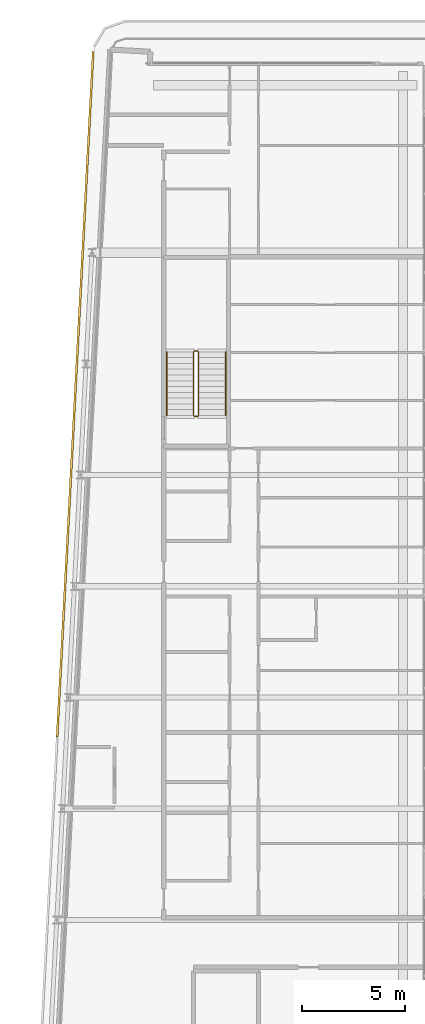
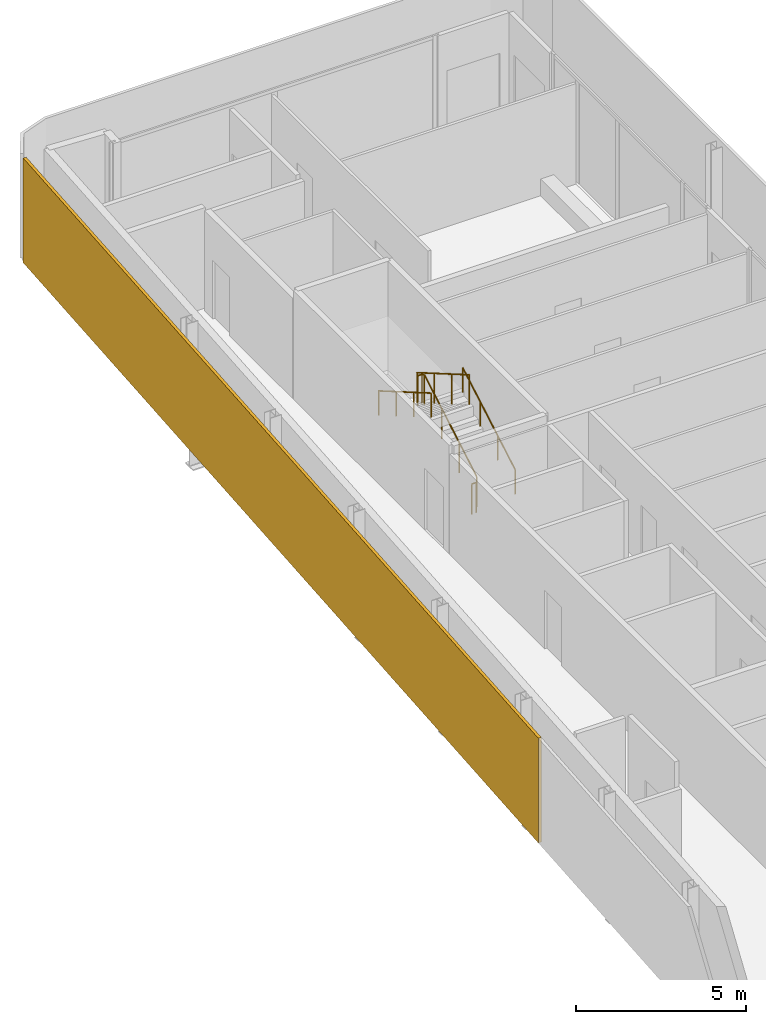
# One storey, part 16 of 18: 4 railings, 1 shading device.
"""IFC4 building model written with IfcOpenShell, lengths in metres."""

from ifc_helpers import new_model, si_unit, direction, frame, origin, origin_2d, place, context, subcontext, project, spatial, rectangle, circle, extrude, material, layer, layer_set, type_object, element, save


model = new_model("IFC4")

# Units and contexts
model_context = context("Model", 3, precision=1e-05, world=origin(), true_north=direction((0.0, 1.0)))
body_context = subcontext(model_context, "Body", "Model", "MODEL_VIEW")
ifc_project = project(units=[si_unit("LENGTHUNIT", "METRE"), si_unit("AREAUNIT", "SQUARE_METRE"), si_unit("VOLUMEUNIT", "CUBIC_METRE"), si_unit("PLANEANGLEUNIT", "RADIAN"), si_unit("MASSUNIT", "GRAM", prefix="KILO")], contexts=[model_context])

# Site, building, storey
site_placement = place(None, origin())
site = spatial("IfcSite", under=ifc_project, at=site_placement, CompositionType="ELEMENT")
building_placement = place(site_placement, origin())
building = spatial("IfcBuilding", under=site, at=building_placement, Name="Kheshtan School and Residences Tower", CompositionType="ELEMENT")
storey_placement = place(building_placement, frame((0.0, 0.0, 361.699951171875)))
storey = spatial("IfcBuildingStorey", under=building, at=storey_placement, Name="L85", CompositionType="ELEMENT", Elevation=361.699951171875)

# Shading device
ifc_material_1 = material(Name="Terracotta baguette, extruded ceramic", Category="masonry")
ifc_layer = layer(ifc_material_1, 0.10009765625)
ifc_layer_set = layer_set([ifc_layer], Name="Ledge screen, terracotta baguettes")
shading_device_type = type_object("IfcShadingDeviceType", Name="Ledge screen, terracotta baguettes", PredefinedType="USERDEFINED", material=ifc_layer_set)
shading_device_placement = place(storey_placement, frame((28.9990234375, 81.93408203125, 0.0), z_axis=(0.0, 0.0, 1.0), x_axis=(0.052562536748, 0.998617634398, 0.0)))
element("IfcShadingDevice", 1, at=shading_device_placement, inside=storey, type_object=shading_device_type, Name="Screen L85 5", ObjectType="BAGUETTE", PredefinedType="USERDEFINED", context=body_context, shape_type="SweptSolid", body=[
    extrude(rectangle(XDim=33.341064453125, YDim=0.10009765625, at=origin_2d()), origin(), (0.0, 0.0, 1.0), 3.75),
])

# Railings
ifc_material_2 = material(Name="Stainless steel balustrade", Category="steel")
railing_type_1 = type_object("IfcRailingType", Name="Stair guard 1100", PredefinedType="GUARDRAIL", material=ifc_material_2)
railing_1_placement = place(storey_placement, frame((35.0, 80.89990234375, 0.16259765625)))
element("IfcRailing", 2, at=railing_1_placement, inside=storey, type_object=railing_type_1, Name="L85 ST3 stair guard 1", PredefinedType="GUARDRAIL", context=body_context, shape_type="SweptSolid", body=[
    extrude(circle(Radius=0.02392578125, at=origin_2d()), frame((0.0, 0.0, 1.076171875), z_axis=(0.0, 0.864920483161, 0.501908913857), x_axis=(-1.0, 0.0, 0.0)), (0.0, 0.0, 1.0), 3.56103515625),
    extrude(circle(Radius=0.02392578125, at=origin_2d()), frame((0.0, 3.080078125, 2.86328125), z_axis=(-0.707106781187, 0.707106781187, 0.0), x_axis=(-0.707106781187, -0.707106781187, 0.0)), (0.0, 0.0, 1.0), 0.07080078125),
    extrude(circle(Radius=0.02392578125, at=origin_2d()), frame((-0.050048828125, 3.130126953125, 2.86328125), z_axis=(-1.0, 0.0, 0.0), x_axis=(0.0, -1.0, 0.0)), (0.0, 0.0, 1.0), 0.14990234375),
    extrude(circle(Radius=0.02392578125, at=origin_2d()), frame((-0.199951171875, 3.130126953125, 2.86328125), z_axis=(-0.282227285176, -0.282227285176, 0.916894497205), x_axis=(0.707106781187, -0.707106781187, 0.0)), (0.0, 0.0, 1.0), 0.17724609375),
    extrude(circle(Radius=0.02392578125, at=origin_2d()), frame((-0.25, 3.080078125, 3.02587890625), z_axis=(0.0, -0.864890721111, 0.501960198159), x_axis=(1.0, 0.0, 0.0)), (0.0, 0.0, 1.0), 3.561279296875),
    extrude(circle(Radius=0.02099609375, at=origin_2d()), origin(), (0.0, 0.0, 1.0), 1.052001953125),
    extrude(circle(Radius=0.02099609375, at=origin_2d()), frame((0.0, 1.026611328125, 0.595703125)), (0.0, 0.0, 1.0), 1.052001953125),
    extrude(circle(Radius=0.02099609375, at=origin_2d()), frame((0.0, 2.053466796875, 1.191650390625)), (0.0, 0.0, 1.0), 1.052001953125),
    extrude(circle(Radius=0.02099609375, at=origin_2d()), frame((0.0, 3.080078125, 1.787353515625)), (0.0, 0.0, 1.0), 1.052001953125),
    extrude(circle(Radius=0.02099609375, at=origin_2d()), frame((-0.050048828125, 3.130126953125, 1.787353515625)), (0.0, 0.0, 1.0), 1.052001953125),
    extrude(circle(Radius=0.02099609375, at=origin_2d()), frame((-0.199951171875, 3.130126953125, 1.787353515625)), (0.0, 0.0, 1.0), 1.052001953125),
    extrude(circle(Radius=0.02099609375, at=origin_2d()), frame((-0.25, 3.080078125, 1.949951171875)), (0.0, 0.0, 1.0), 1.052001953125),
    extrude(circle(Radius=0.02099609375, at=origin_2d()), frame((-0.25, 2.053466796875, 2.5458984375)), (0.0, 0.0, 1.0), 1.052001953125),
    extrude(circle(Radius=0.02099609375, at=origin_2d()), frame((-0.25, 1.026611328125, 3.1416015625)), (0.0, 0.0, 1.0), 1.052001953125),
    extrude(circle(Radius=0.02099609375, at=origin_2d()), frame((-0.25, 0.0, 3.737548828125)), (0.0, 0.0, 1.0), 1.052001953125),
])
railing_2_placement = place(storey_placement, frame((34.949951171875, 80.85009765625, 0.0)))
element("IfcRailing", 3, at=railing_2_placement, inside=storey, type_object=railing_type_1, Name="L85 ST3 stair guard 2", PredefinedType="GUARDRAIL", context=body_context, shape_type="SweptSolid", body=[
    extrude(circle(Radius=0.02392578125, at=origin_2d()), frame((0.0, 0.0, 1.076171875), z_axis=(-1.0, 0.0, 0.0), x_axis=(0.0, -1.0, 0.0)), (0.0, 0.0, 1.0), 0.14990234375),
    extrude(circle(Radius=0.02099609375, at=origin_2d()), origin(), (0.0, 0.0, 1.0), 1.052001953125),
    extrude(circle(Radius=0.02099609375, at=origin_2d()), frame((-0.14990234375, 0.0, 0.0)), (0.0, 0.0, 1.0), 1.052001953125),
])
ifc_material_3 = material(Name="Stainless steel handrail", Category="steel")
railing_type_2 = type_object("IfcRailingType", Name="Stair handrail 900", PredefinedType="HANDRAIL", material=ifc_material_3)
railing_3_placement = place(storey_placement, frame((36.300048828125, 80.89990234375, 0.16259765625)))
element("IfcRailing", 4, at=railing_3_placement, inside=storey, type_object=railing_type_2, Name="L85 ST3 stair handrail 1", PredefinedType="HANDRAIL", context=body_context, shape_type="SweptSolid", body=[
    extrude(circle(Radius=0.02392578125, at=origin_2d()), frame((0.0, 0.0, 0.8759765625), z_axis=(0.0, 0.864920483161, 0.501908913857), x_axis=(-1.0, 0.0, 0.0)), (0.0, 0.0, 1.0), 3.56103515625),
    extrude(circle(Radius=0.02099609375, at=origin_2d()), origin(), (0.0, 0.0, 1.0), 0.851806640625),
    extrude(circle(Radius=0.02099609375, at=origin_2d()), frame((0.0, 1.026611328125, 0.595703125)), (0.0, 0.0, 1.0), 0.851806640625),
    extrude(circle(Radius=0.02099609375, at=origin_2d()), frame((0.0, 2.053466796875, 1.191650390625)), (0.0, 0.0, 1.0), 0.851806640625),
    extrude(circle(Radius=0.02099609375, at=origin_2d()), frame((0.0, 3.080078125, 1.787353515625)), (0.0, 0.0, 1.0), 0.851806640625),
])
railing_4_placement = place(storey_placement, frame((33.449951171875, 83.97998046875, 2.112548828125)))
element("IfcRailing", 5, at=railing_4_placement, inside=storey, type_object=railing_type_2, Name="L85 ST3 stair handrail 2", PredefinedType="HANDRAIL", context=body_context, shape_type="SweptSolid", body=[
    extrude(circle(Radius=0.02392578125, at=origin_2d()), frame((0.0, 0.0, 0.8759765625), z_axis=(0.0, -0.864890721111, 0.501960198159), x_axis=(1.0, 0.0, 0.0)), (0.0, 0.0, 1.0), 3.561279296875),
    extrude(circle(Radius=0.02099609375, at=origin_2d()), origin(), (0.0, 0.0, 1.0), 0.851806640625),
    extrude(circle(Radius=0.02099609375, at=origin_2d()), frame((0.0, -1.026611328125, 0.595947265625)), (0.0, 0.0, 1.0), 0.851806640625),
    extrude(circle(Radius=0.02099609375, at=origin_2d()), frame((0.0, -2.053466796875, 1.191650390625)), (0.0, 0.0, 1.0), 0.851806640625),
    extrude(circle(Radius=0.02099609375, at=origin_2d()), frame((0.0, -3.080078125, 1.78759765625)), (0.0, 0.0, 1.0), 0.851806640625),
])

save(model, "model.ifc")
